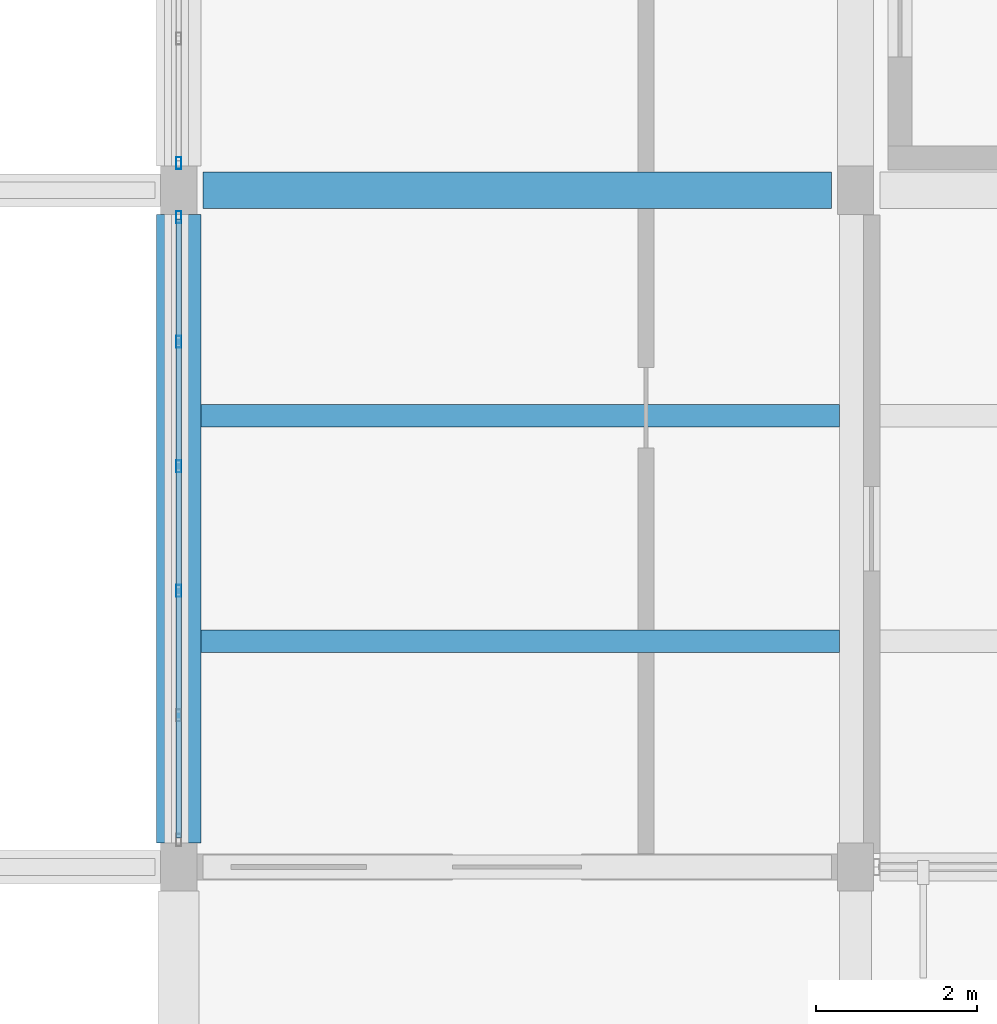
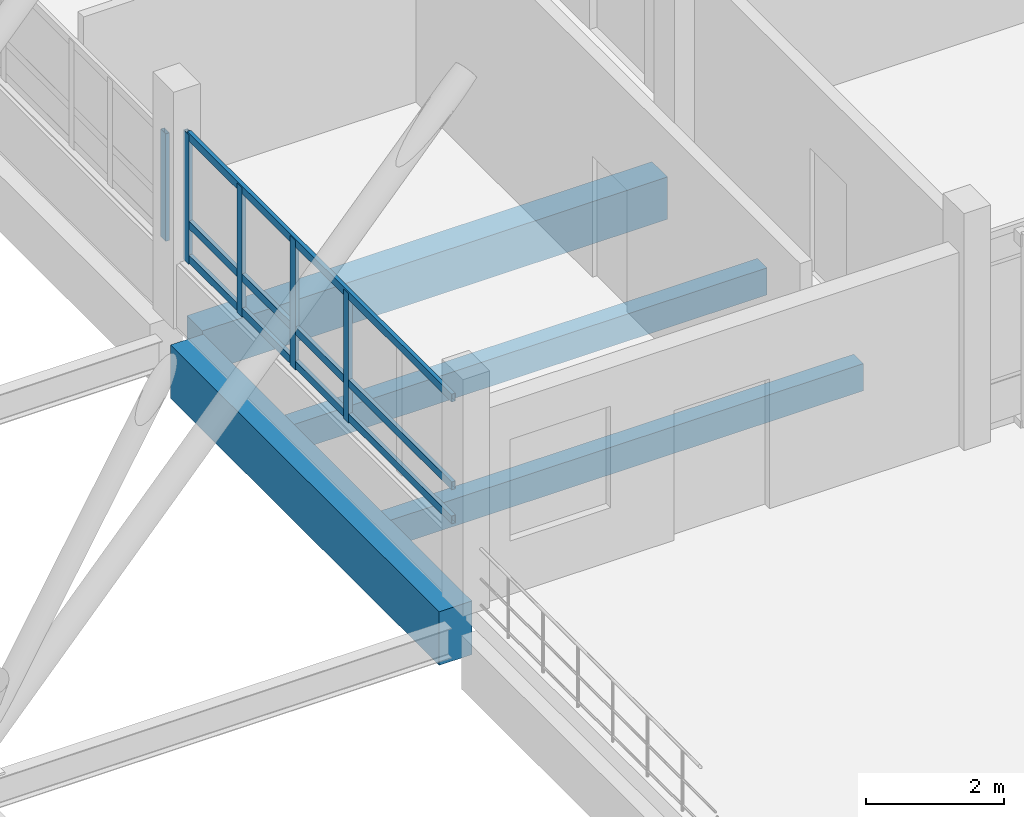
# One storey, part 13 of 107: 8 members, 4 beams, 2 elements without a shape of their own.
"""IFC4 building model written with IfcOpenShell, lengths in metres."""

import ifcopenshell
import ifcopenshell.guid

model = None  # the IFC model being written
_history = None  # IfcOwnerHistory: only IFC2X3 demands one
_inside = {}  # id of a spatial element -> (the spatial element, [elements in it])
_under = {}  # id of a project, library or spatial element -> (it, [spatial elements below it])
_declared = {}  # id of a project -> (the project, [libraries it declares])
_typed = {}  # id of a type object -> (the type object, [elements of that type])
_made_of = {}  # id of a material, layer set ... -> (it, [elements and type objects made of it])


def new_model(schema):
    """Start an empty IFC model of exactly this schema.

    Asked for "IFC4X3", IfcOpenShell would pick the latest addendum, in which some entities
    have other attributes; the version numbers below select the first issue.
    IFC2X3 requires an IfcOwnerHistory on every rooted entity: one is made here for all.
    """
    global model, _history
    if schema == "IFC4X3":
        model = ifcopenshell.file(schema_version=(4, 3, 0, 0))
    else:
        model = ifcopenshell.file(schema=schema)
    _inside.clear()
    _under.clear()
    _declared.clear()
    _typed.clear()
    _made_of.clear()
    _history = None
    if model.schema == "IFC2X3":
        org = make("IfcOrganization", Name="unknown")
        user = make(
            "IfcPersonAndOrganization",
            ThePerson=make("IfcPerson", FamilyName="unknown"),
            TheOrganization=org,
        )
        app = make(
            "IfcApplication",
            ApplicationDeveloper=org,
            Version="unknown",
            ApplicationFullName="unknown",
            ApplicationIdentifier="unknown",
        )
        _history = make(
            "IfcOwnerHistory",
            OwningUser=user,
            OwningApplication=app,
            ChangeAction="ADDED",
            CreationDate=0,
        )
    return model


def make(cls, **values):
    """One entity of the class cls with the attributes given. An attribute that is None is left unset."""
    return model.create_entity(
        cls, **{name: value for name, value in values.items() if value is not None}
    )


def rooted(cls, **values):
    """An entity with a GlobalId (a new one), such as an element, a storey or a relation."""
    return make(cls, GlobalId=ifcopenshell.guid.new(), OwnerHistory=_history, **values)


def si_unit(unit_type, name, prefix=None):
    """IfcSIUnit, for example si_unit("LENGTHUNIT", "METRE", prefix="MILLI")."""
    return make("IfcSIUnit", UnitType=unit_type, Prefix=prefix, Name=name)


def assignment(units):
    """IfcUnitAssignment: the units of a project."""
    return None if units is None else make("IfcUnitAssignment", Units=units)


def point(xyz):
    """IfcCartesianPoint."""
    return None if xyz is None else make("IfcCartesianPoint", Coordinates=xyz)


def direction(xyz):
    """IfcDirection."""
    return None if xyz is None else make("IfcDirection", DirectionRatios=xyz)


def frame(location, z_axis=None, x_axis=None):
    """IfcAxis2Placement3D, a coordinate frame: its origin and axes. An axis left out is left unset."""
    return make(
        "IfcAxis2Placement3D",
        Location=point(location),
        Axis=direction(z_axis),
        RefDirection=direction(x_axis),
    )


def frame_2d(location, x_axis=None):
    """IfcAxis2Placement2D, a coordinate frame in the plane: its origin and x axis."""
    return make(
        "IfcAxis2Placement2D", Location=point(location), RefDirection=direction(x_axis)
    )


def origin():
    """The frame at (0, 0, 0) with its axes left unset."""
    return frame((0.0, 0.0, 0.0))


def origin_2d():
    """The frame at (0, 0) in the plane with its x axis left unset."""
    return frame_2d((0.0, 0.0))


def place(relative_to, where):
    """IfcLocalPlacement: puts the frame where relative to a parent placement (None: the world)."""
    return make(
        "IfcLocalPlacement", PlacementRelTo=relative_to, RelativePlacement=where
    )


def context(
    kind, dimensions, precision=None, world=None, true_north=None, identifier=None
):
    """IfcGeometricRepresentationContext, for example the 3D "Model" context."""
    return make(
        "IfcGeometricRepresentationContext",
        ContextIdentifier=identifier,
        ContextType=kind,
        CoordinateSpaceDimension=dimensions,
        Precision=precision,
        WorldCoordinateSystem=world,
        TrueNorth=true_north,
    )


def subcontext(parent, identifier, kind, view, scale=None):
    """IfcGeometricRepresentationSubContext, for example "Body" below "Model"."""
    return make(
        "IfcGeometricRepresentationSubContext",
        ContextIdentifier=identifier,
        ContextType=kind,
        ParentContext=parent,
        TargetScale=scale,
        TargetView=view,
    )


def project(units=None, contexts=None):
    """IfcProject with its units and contexts."""
    return rooted(
        "IfcProject",
        Name="project",
        RepresentationContexts=contexts,
        UnitsInContext=assignment(units),
    )


def spatial(cls, under=None, at=None, **own):
    """A site, building, storey or space (cls), placed at a placement, below another one or the project."""
    s = rooted(cls, ObjectPlacement=at, **own)
    if under is not None:
        _under.setdefault(under.id(), (under, []))[1].append(s)
    return s


def profile(cls, at=None, kind="AREA", **sizes):
    """A parametric profile (cls). Its sizes go by their IFC names, for example OverallWidth=200.0."""
    return make(cls, ProfileType=kind, Position=at, **sizes)


def rectangle(**sizes):
    """IfcRectangleProfileDef."""
    return profile("IfcRectangleProfileDef", **sizes)


def hollow_rectangle(**sizes):
    """IfcRectangleHollowProfileDef."""
    return profile("IfcRectangleHollowProfileDef", **sizes)


def extrude(swept, where, along, depth):
    """IfcExtrudedAreaSolid: the profile swept, set in the frame where, extruded along a direction by depth."""
    return make(
        "IfcExtrudedAreaSolid",
        SweptArea=swept,
        Position=where,
        ExtrudedDirection=direction(along),
        Depth=depth,
    )


def shape(context_of_items, identifier, shape_type, items):
    """IfcShapeRepresentation: the items that make up one representation, for example the "Body"."""
    return make(
        "IfcShapeRepresentation",
        ContextOfItems=context_of_items,
        RepresentationIdentifier=identifier,
        RepresentationType=shape_type,
        Items=items,
    )


def material(Name=None, Category=None):
    """IfcMaterial."""
    return make("IfcMaterial", Name=Name, Category=Category)


def layer(
    of_material, thickness, ventilated=None, Name=None, Category=None, Priority=None
):
    """IfcMaterialLayer: one layer of a wall or slab, of a material (None: an air gap)."""
    return make(
        "IfcMaterialLayer",
        Material=of_material,
        LayerThickness=thickness,
        IsVentilated=ventilated,
        Name=Name,
        Category=Category,
        Priority=Priority,
    )


def layer_set(layers, Name=None):
    """IfcMaterialLayerSet."""
    return make("IfcMaterialLayerSet", MaterialLayers=layers, LayerSetName=Name)


def material_profile(
    of_material, cross_section, Name=None, Category=None, Priority=None
):
    """IfcMaterialProfile: a cross section and its material."""
    return make(
        "IfcMaterialProfile",
        Name=Name,
        Material=of_material,
        Profile=cross_section,
        Priority=Priority,
        Category=Category,
    )


def profile_set(profiles, Name=None, composite=None):
    """IfcMaterialProfileSet."""
    return make(
        "IfcMaterialProfileSet",
        Name=Name,
        MaterialProfiles=profiles,
        CompositeProfile=composite,
    )


def made_of(thing, what):
    """Note that an element or type object is made of a material, layer set ...; save() writes the relation."""
    if what is not None:
        _made_of.setdefault(what.id(), (what, []))[1].append(thing)
    return thing


def type_object(cls, material=None, **own):
    """A type object (cls), such as IfcWallType, which elements share."""
    return made_of(rooted(cls, **own), material)


def element(
    cls,
    number,
    at=None,
    inside=None,
    cuts=None,
    type_object=None,
    material=None,
    context=None,
    identifier="Body",
    shape_type=None,
    held_by="IfcProductDefinitionShape",
    body=None,
    shapes=None,
    **own,
):
    """One element of the class cls, such as IfcWall. Its Tag is "e" and its number.

    at: its placement. inside: the storey or other place that contains it. cuts: it is an
    opening in that element (IfcRelVoidsElement). A single representation is given by context,
    identifier, shape_type and body (its items); several are given by shapes. held_by: the class
    of the entity that holds the representations. save() writes the other relations.
    """
    e = rooted(cls, Tag="e%d" % number, ObjectPlacement=at, **own)
    if body is not None:
        shapes = [shape(context, identifier, shape_type, body)]
    if shapes is not None:
        e.Representation = make(held_by, Representations=shapes)
    if inside is not None:
        _inside.setdefault(inside.id(), (inside, []))[1].append(e)
    if cuts is not None:
        rooted(
            "IfcRelVoidsElement", RelatingBuildingElement=cuts, RelatedOpeningElement=e
        )
    if type_object is not None:
        _typed.setdefault(type_object.id(), (type_object, []))[1].append(e)
    return made_of(e, material)


def aggregate(whole, parts):
    """IfcRelAggregates: a whole, such as a stair, and the parts it consists of."""
    return rooted("IfcRelAggregates", RelatingObject=whole, RelatedObjects=parts)


def save(model, path):
    """Write the relations noted so far, then the file.

    IfcRelAggregates (storeys below a building ...), IfcRelContainedInSpatialStructure (elements
    in a storey), IfcRelDefinesByType, IfcRelAssociatesMaterial and IfcRelDeclares: one each for
    every whole, place, type object, material and project.
    """
    for whole, parts in _under.values():
        aggregate(whole, parts)
    for where, things in _inside.values():
        rooted(
            "IfcRelContainedInSpatialStructure",
            RelatedElements=things,
            RelatingStructure=where,
        )
    for kind, things in _typed.values():
        rooted("IfcRelDefinesByType", RelatedObjects=things, RelatingType=kind)
    for what, things in _made_of.values():
        rooted("IfcRelAssociatesMaterial", RelatedObjects=things, RelatingMaterial=what)
    for by, libraries in _declared.values():
        rooted("IfcRelDeclares", RelatingContext=by, RelatedDefinitions=libraries)
    model.write(path)


model = new_model("IFC4")

# Units and contexts
model_context = context("Model", 3, precision=1e-05, world=origin(), true_north=direction((0.0, 1.0)))
body_context = subcontext(model_context, "Body", "Model", "MODEL_VIEW")
ifc_project = project(units=[si_unit("LENGTHUNIT", "METRE"), si_unit("AREAUNIT", "SQUARE_METRE"), si_unit("VOLUMEUNIT", "CUBIC_METRE"), si_unit("PLANEANGLEUNIT", "RADIAN"), si_unit("MASSUNIT", "GRAM", prefix="KILO")], contexts=[model_context])

# Site, building, storey
site_placement = place(None, origin())
site = spatial("IfcSite", under=ifc_project, at=site_placement, CompositionType="ELEMENT")
building_placement = place(site_placement, origin())
building = spatial("IfcBuilding", under=site, at=building_placement, Name="Vireocrest Preparatory School", CompositionType="ELEMENT")
storey_placement = place(building_placement, frame((0.0, 0.0, 13.199951171875)))
storey = spatial("IfcBuildingStorey", under=building, at=storey_placement, Name="L03", CompositionType="ELEMENT", Elevation=13.199951171875)

# Curtain wall, members
ifc_material_1 = material(Name="Thermally broken aluminium EN AW-6063-T6", Category="aluminium")
ifc_layer = layer(ifc_material_1, 0.179931640625)
ifc_layer_set = layer_set([ifc_layer], Name="Thermally broken aluminium EN AW-6063-T6")
curtain_wall_type = type_object("IfcCurtainWallType", Name="Court Banded Curtain Wall 8400x3000", PredefinedType="USERDEFINED", material=ifc_layer_set)
curtain_wall_1_placement = place(storey_placement, origin())
curtain_wall_1 = element("IfcCurtainWall", 1, at=curtain_wall_1_placement, inside=storey, type_object=curtain_wall_type, Name="Curtain Wall CW02 CW_L03_CW02_0924_0357_144", ObjectType="CURTAIN WALL", PredefinedType="USERDEFINED")
ifc_material_profile_1 = material_profile(ifc_material_1, hollow_rectangle(XDim=0.06494140625, YDim=0.14990234375, WallThickness=0.00390625, at=origin_2d()), Name="ALU 65x150x4")
ifc_profile_set_1 = profile_set([ifc_material_profile_1], Name="Thermally broken aluminium EN AW-6063-T6")
member_type_1 = type_object("IfcMemberType", Name="CW Mullion 65x150x4", PredefinedType="MULLION", material=ifc_profile_set_1)
member_1_placement = place(storey_placement, frame((92.39990234375, 38.826904296875, 1.150146484375), z_axis=(0.0, 0.0, 1.0), x_axis=(1.0, 0.0, 0.0)))
member_1 = element("IfcMember", 2, at=member_1_placement, type_object=member_type_1, Name="CW Mullion ML1 CW_L03_CW02_0924_0357_144-3", PredefinedType="MULLION", context=body_context, shape_type="SweptSolid", body=[
    extrude(hollow_rectangle(XDim=0.06494140625, YDim=0.14990234375, WallThickness=0.00390625, at=origin_2d()), origin(), (0.0, 0.0, 1.0), 2.294921875),
])
member_2_placement = place(storey_placement, frame((92.39990234375, 40.373046875, 1.150146484375), z_axis=(0.0, 0.0, 1.0), x_axis=(1.0, 0.0, 0.0)))
member_2 = element("IfcMember", 3, at=member_2_placement, type_object=member_type_1, Name="CW Mullion ML1 CW_L03_CW02_0924_0357_144-4", PredefinedType="MULLION", context=body_context, shape_type="SweptSolid", body=[
    extrude(hollow_rectangle(XDim=0.06494140625, YDim=0.14990234375, WallThickness=0.00390625, at=origin_2d()), origin(), (0.0, 0.0, 1.0), 2.294921875),
])
member_3_placement = place(storey_placement, frame((92.39990234375, 41.9189453125, 1.150146484375), z_axis=(0.0, 0.0, 1.0), x_axis=(1.0, 0.0, 0.0)))
member_3 = element("IfcMember", 4, at=member_3_placement, type_object=member_type_1, Name="CW Mullion ML1 CW_L03_CW02_0924_0357_144-5", PredefinedType="MULLION", context=body_context, shape_type="SweptSolid", body=[
    extrude(hollow_rectangle(XDim=0.06494140625, YDim=0.14990234375, WallThickness=0.00390625, at=origin_2d()), origin(), (0.0, 0.0, 1.0), 2.294921875),
])
member_4_placement = place(storey_placement, frame((92.39990234375, 43.465087890625, 1.150146484375), z_axis=(0.0, 0.0, 1.0), x_axis=(1.0, 0.0, 0.0)))
member_4 = element("IfcMember", 5, at=member_4_placement, type_object=member_type_1, Name="CW Mullion ML1 CW_L03_CW02_0924_0357_144-6", PredefinedType="MULLION", context=body_context, shape_type="SweptSolid", body=[
    extrude(hollow_rectangle(XDim=0.06494140625, YDim=0.14990234375, WallThickness=0.00390625, at=origin_2d()), origin(), (0.0, 0.0, 1.0), 2.294921875),
])

# Curtain wall, member
curtain_wall_2_placement = place(storey_placement, origin())
curtain_wall_2 = element("IfcCurtainWall", 6, at=curtain_wall_2_placement, inside=storey, type_object=curtain_wall_type, Name="Curtain Wall CW02 CW_L03_CW02_0924_0441_144", ObjectType="CURTAIN WALL", PredefinedType="USERDEFINED")
member_5_placement = place(storey_placement, frame((92.39990234375, 44.135009765625, 1.150146484375), z_axis=(0.0, 0.0, 1.0), x_axis=(1.0, 0.0, 0.0)))
member_5 = element("IfcMember", 7, at=member_5_placement, type_object=member_type_1, Name="CW Mullion ML1 CW_L03_CW02_0924_0441_144-1", PredefinedType="MULLION", context=body_context, shape_type="SweptSolid", body=[
    extrude(hollow_rectangle(XDim=0.06494140625, YDim=0.14990234375, WallThickness=0.00390625, at=origin_2d()), origin(), (0.0, 0.0, 1.0), 1.90478515625),
])
aggregate(curtain_wall_2, [member_5])

# Member
ifc_material_profile_2 = material_profile(ifc_material_1, hollow_rectangle(XDim=0.06494140625, YDim=0.139892578125, WallThickness=0.00390625, at=origin_2d()), Name="ALU 65x140x4")
ifc_profile_set_2 = profile_set([ifc_material_profile_2], Name="Thermally broken aluminium EN AW-6063-T6")
member_type_2 = type_object("IfcMemberType", Name="CW Transom 65x140x4", PredefinedType="USERDEFINED", material=ifc_profile_set_2)
member_6_placement = place(storey_placement, frame((92.39990234375, 35.760009765625, 1.2451171875), z_axis=(0.0, 1.0, 0.0), x_axis=(-1.0, 0.0, 0.0)))
member_6 = element("IfcMember", 8, at=member_6_placement, type_object=member_type_2, Name="CW Transom TR1 CW_L03_CW02_0924_0357_144-1", ObjectType="TRANSOM", PredefinedType="USERDEFINED", context=body_context, shape_type="SweptSolid", body=[
    extrude(hollow_rectangle(XDim=0.06494140625, YDim=0.139892578125, WallThickness=0.00390625, at=origin_2d()), origin(), (0.0, 0.0, 1.0), 7.679931640625),
])

member_7_placement = place(storey_placement, frame((92.39990234375, 35.760009765625, 1.85009765625), z_axis=(0.0, 1.0, 0.0), x_axis=(-1.0, 0.0, 0.0)))
member_7 = element("IfcMember", 9, at=member_7_placement, type_object=member_type_2, Name="CW Transom TR1 CW_L03_CW02_0924_0357_144-2", ObjectType="TRANSOM", PredefinedType="USERDEFINED", context=body_context, shape_type="SweptSolid", body=[
    extrude(hollow_rectangle(XDim=0.06494140625, YDim=0.139892578125, WallThickness=0.00390625, at=origin_2d()), origin(), (0.0, 0.0, 1.0), 7.679931640625),
])

member_8_placement = place(storey_placement, frame((92.39990234375, 35.760009765625, 3.405029296875), z_axis=(0.0, 1.0, 0.0), x_axis=(-1.0, 0.0, 0.0)))
member_8 = element("IfcMember", 10, at=member_8_placement, type_object=member_type_2, Name="CW Transom TR1 CW_L03_CW02_0924_0357_144-3", ObjectType="TRANSOM", PredefinedType="USERDEFINED", context=body_context, shape_type="SweptSolid", body=[
    extrude(hollow_rectangle(XDim=0.06494140625, YDim=0.139892578125, WallThickness=0.00390625, at=origin_2d()), origin(), (0.0, 0.0, 1.0), 7.679931640625),
])

aggregate(curtain_wall_1, [member_1, member_2, member_3, member_4, member_6, member_7, member_8])

# Beams
ifc_material_2 = material(Name="Concrete 40 MPa", Category="concrete")
ifc_material_profile_3 = material_profile(ifc_material_2, rectangle(XDim=0.449951171875, YDim=0.75, at=origin_2d()), Name="RC 450x750")
ifc_profile_set_3 = profile_set([ifc_material_profile_3], Name="Concrete 40 MPa")
beam_type_1 = type_object("IfcBeamType", Name="RC Library Stack Girder 450x750", PredefinedType="BEAM", material=ifc_profile_set_3)
beam_1_placement = place(storey_placement, frame((92.699951171875, 43.800048828125, -0.635009765625), z_axis=(1.0, 0.0, 0.0), x_axis=(0.0, 1.0, 0.0)))
element("IfcBeam", 11, at=beam_1_placement, inside=storey, type_object=beam_type_1, Name="Primary Girder B11 L03-1053", PredefinedType="BEAM", context=body_context, shape_type="SweptSolid", body=[
    extrude(rectangle(XDim=0.449951171875, YDim=0.75, at=origin_2d()), origin(), (0.0, 0.0, 1.0), 7.800048828125),
])
ifc_material_profile_4 = material_profile(ifc_material_2, rectangle(XDim=0.280029296875, YDim=0.47998046875, at=origin_2d()), Name="RC 280x480")
ifc_profile_set_4 = profile_set([ifc_material_profile_4], Name="Concrete 40 MPa")
beam_type_2 = type_object("IfcBeamType", Name="RC Secondary Lab Joist 280x480", PredefinedType="JOIST", material=ifc_profile_set_4)
for number, where, z_axis, x_axis, name in (
    (12, (92.675048828125, 38.199951171875, -0.5), (1.0, 0.0, 0.0), (0.0, 1.0, 0.0), "Secondary Joist J02 L03-1241"),
    (13, (92.675048828125, 41.0, -0.5), (1.0, 0.0, 0.0), (0.0, 1.0, 0.0), "Secondary Joist J02 L03-1242"),
):
    element("IfcBeam", number, at=place(storey_placement, frame(where, z_axis=z_axis, x_axis=x_axis)), inside=storey, type_object=beam_type_2, Name=name, PredefinedType="JOIST", context=body_context, shape_type="SweptSolid", body=[
        extrude(rectangle(XDim=0.280029296875, YDim=0.47998046875, at=origin_2d()), origin(), (0.0, 0.0, 1.0), 7.925048828125),
    ])
ifc_material_profile_5 = material_profile(ifc_material_2, rectangle(XDim=0.550048828125, YDim=0.949951171875, at=origin_2d()), Name="RC 550x950")
ifc_profile_set_5 = profile_set([ifc_material_profile_5], Name="Concrete 40 MPa")
beam_type_3 = type_object("IfcBeamType", Name="RC Setback Edge Girder 550x950", PredefinedType="BEAM", material=ifc_profile_set_5)
beam_2_placement = place(storey_placement, frame((92.39990234375, 35.699951171875, -0.73486328125), z_axis=(0.0, 1.0, 0.0), x_axis=(-1.0, 0.0, 0.0)))
element("IfcBeam", 14, at=beam_2_placement, inside=storey, type_object=beam_type_3, Name="Primary Girder B17 L03-1144", PredefinedType="BEAM", context=body_context, shape_type="SweptSolid", body=[
    extrude(rectangle(XDim=0.550048828125, YDim=0.949951171875, at=origin_2d()), origin(), (0.0, 0.0, 1.0), 7.800048828125),
])

save(model, "model.ifc")
